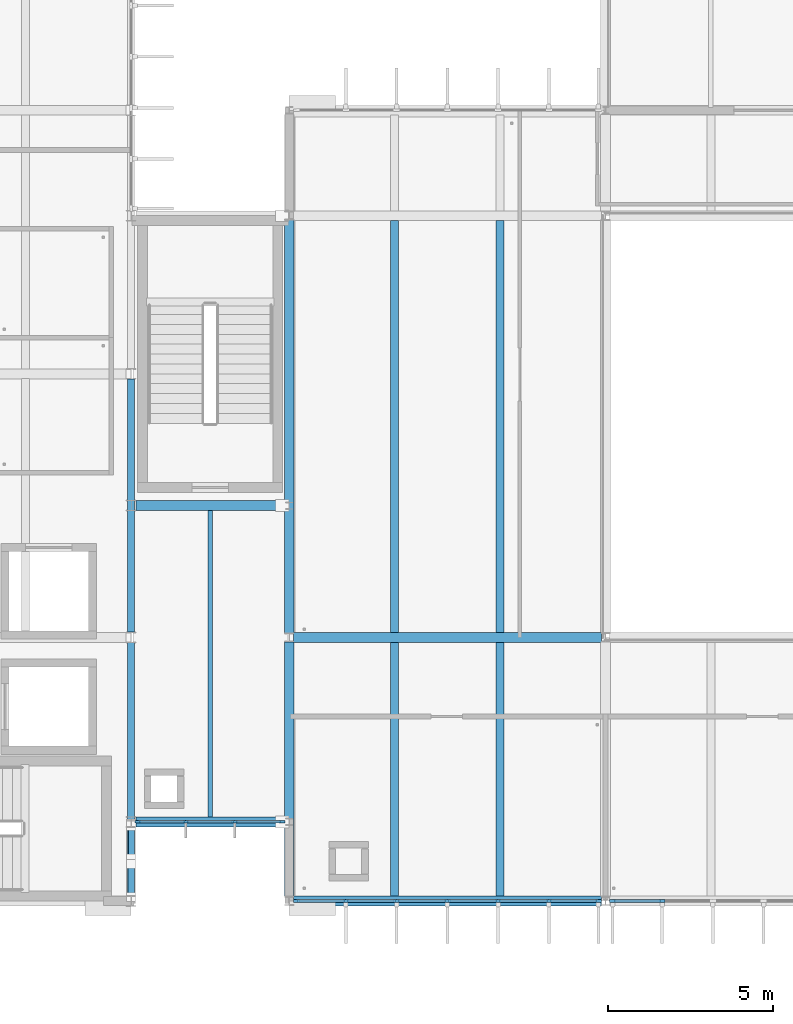
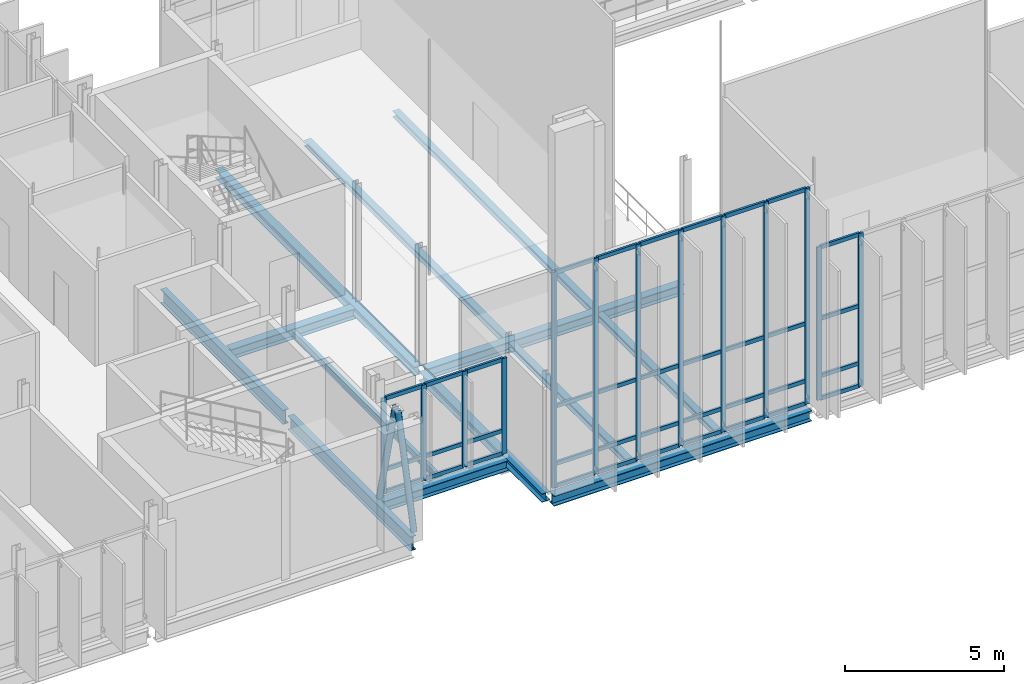
# One storey, part 10 of 41: 52 members, 13 beams, 3 elements without a shape of their own.
"""IFC4 building model written with IfcOpenShell, lengths in metres."""

from ifc_helpers import new_model, si_unit, direction, frame, origin, origin_2d, place, context, subcontext, project, spatial, rectangle, hollow_circle, i_section, extrude, material, material_profile, profile_set, type_object, element, aggregate, save


model = new_model("IFC4")

# Units and contexts
model_context = context("Model", 3, precision=1e-05, world=origin(), true_north=direction((0.0, 1.0)))
body_context = subcontext(model_context, "Body", "Model", "MODEL_VIEW")
ifc_project = project(units=[si_unit("LENGTHUNIT", "METRE"), si_unit("AREAUNIT", "SQUARE_METRE"), si_unit("VOLUMEUNIT", "CUBIC_METRE"), si_unit("PLANEANGLEUNIT", "RADIAN"), si_unit("MASSUNIT", "GRAM", prefix="KILO")], contexts=[model_context])

# Site, building, storey
site_placement = place(None, origin())
site = spatial("IfcSite", under=ifc_project, at=site_placement, CompositionType="ELEMENT")
building_placement = place(site_placement, origin())
building = spatial("IfcBuilding", under=site, at=building_placement, Name="Dunescarp Central Library", CompositionType="ELEMENT")
storey_placement = place(building_placement, frame((0.0, 0.0, 23.10009765625)))
storey = spatial("IfcBuildingStorey", under=building, at=storey_placement, Name="L05", CompositionType="ELEMENT", Elevation=23.10009765625)

# Curtain wall, members
ifc_material_1 = material(Name="Marine-grade anodised aluminium 6063-T6", Category="aluminium")
curtain_wall_type_1 = type_object("IfcCurtainWallType", Name="ARC-CW-STICK", PredefinedType="NOTDEFINED", material=ifc_material_1)
curtain_wall_1_placement = place(storey_placement, origin())
curtain_wall_1 = element("IfcCurtainWall", 1, at=curtain_wall_1_placement, inside=storey, type_object=curtain_wall_type_1, Name="L05 curtain wall CW-V2-074", PredefinedType="NOTDEFINED")
ifc_material_profile_1 = material_profile(ifc_material_1, rectangle(XDim=0.080078125, YDim=0.179931640625, at=origin_2d()), Name="AL 80x180")
ifc_profile_set_1 = profile_set([ifc_material_profile_1], Name="Marine-grade anodised aluminium 6063-T6")
member_type_1 = type_object("IfcMemberType", Name="ARC-CWM-180", PredefinedType="MULLION", material=ifc_profile_set_1)
member_1_placement = place(storey_placement, frame((47.784912109375, 4.800048828125, 0.0), z_axis=(0.0, 0.0, 1.0), x_axis=(0.0, -1.0, 0.0)))
member_1 = element("IfcMember", 2, at=member_1_placement, type_object=member_type_1, Name="CW-V2-074 mullion 1", PredefinedType="MULLION", context=body_context, shape_type="SweptSolid", body=[
    extrude(rectangle(XDim=0.080078125, YDim=0.179931640625, at=origin_2d()), origin(), (0.0, 0.0, 1.0), 8.27294921875),
])
member_2_placement = place(storey_placement, frame((46.283447265625, 4.800048828125, 0.0), z_axis=(0.0, 0.0, 1.0), x_axis=(0.0, -1.0, 0.0)))
member_2 = element("IfcMember", 3, at=member_2_placement, type_object=member_type_1, Name="CW-V2-074 mullion 2", PredefinedType="MULLION", context=body_context, shape_type="SweptSolid", body=[
    extrude(rectangle(XDim=0.080078125, YDim=0.179931640625, at=origin_2d()), origin(), (0.0, 0.0, 1.0), 8.27294921875),
])
member_3_placement = place(storey_placement, frame((44.74169921875, 4.800048828125, 0.0), z_axis=(0.0, 0.0, 1.0), x_axis=(0.0, -1.0, 0.0)))
member_3 = element("IfcMember", 4, at=member_3_placement, type_object=member_type_1, Name="CW-V2-074 mullion 3", PredefinedType="MULLION", context=body_context, shape_type="SweptSolid", body=[
    extrude(rectangle(XDim=0.080078125, YDim=0.179931640625, at=origin_2d()), origin(), (0.0, 0.0, 1.0), 8.27294921875),
])
member_4_placement = place(storey_placement, frame((43.199951171875, 4.800048828125, 0.0), z_axis=(0.0, 0.0, 1.0), x_axis=(0.0, -1.0, 0.0)))
member_4 = element("IfcMember", 5, at=member_4_placement, type_object=member_type_1, Name="CW-V2-074 mullion 4", PredefinedType="MULLION", context=body_context, shape_type="SweptSolid", body=[
    extrude(rectangle(XDim=0.080078125, YDim=0.179931640625, at=origin_2d()), origin(), (0.0, 0.0, 1.0), 8.27294921875),
])
member_5_placement = place(storey_placement, frame((41.658447265625, 4.800048828125, 0.0), z_axis=(0.0, 0.0, 1.0), x_axis=(0.0, -1.0, 0.0)))
member_5 = element("IfcMember", 6, at=member_5_placement, type_object=member_type_1, Name="CW-V2-074 mullion 5", PredefinedType="MULLION", context=body_context, shape_type="SweptSolid", body=[
    extrude(rectangle(XDim=0.080078125, YDim=0.179931640625, at=origin_2d()), origin(), (0.0, 0.0, 1.0), 8.27294921875),
])
member_6_placement = place(storey_placement, frame((40.11669921875, 4.800048828125, 0.0), z_axis=(0.0, 0.0, 1.0), x_axis=(0.0, -1.0, 0.0)))
member_6 = element("IfcMember", 7, at=member_6_placement, type_object=member_type_1, Name="CW-V2-074 mullion 6", PredefinedType="MULLION", context=body_context, shape_type="SweptSolid", body=[
    extrude(rectangle(XDim=0.080078125, YDim=0.179931640625, at=origin_2d()), origin(), (0.0, 0.0, 1.0), 8.27294921875),
])
member_7_placement = place(storey_placement, frame((38.614990234375, 4.800048828125, 0.0), z_axis=(0.0, 0.0, 1.0), x_axis=(0.0, -1.0, 0.0)))
member_7 = element("IfcMember", 8, at=member_7_placement, type_object=member_type_1, Name="CW-V2-074 mullion 7", PredefinedType="MULLION", context=body_context, shape_type="SweptSolid", body=[
    extrude(rectangle(XDim=0.080078125, YDim=0.179931640625, at=origin_2d()), origin(), (0.0, 0.0, 1.0), 8.27294921875),
])

curtain_wall_2_placement = place(storey_placement, origin())
curtain_wall_2 = element("IfcCurtainWall", 9, at=curtain_wall_2_placement, inside=storey, type_object=curtain_wall_type_1, Name="L05 curtain wall CW-V2-075", PredefinedType="NOTDEFINED")
member_8_placement = place(storey_placement, frame((49.716552734375, 4.800048828125, 0.0), z_axis=(0.0, 0.0, 1.0), x_axis=(0.0, -1.0, 0.0)))
member_8 = element("IfcMember", 10, at=member_8_placement, type_object=member_type_1, Name="CW-V2-075 mullion 6", PredefinedType="MULLION", context=body_context, shape_type="SweptSolid", body=[
    extrude(rectangle(XDim=0.080078125, YDim=0.179931640625, at=origin_2d()), origin(), (0.0, 0.0, 1.0), 5.872802734375),
])
member_9_placement = place(storey_placement, frame((48.215087890625, 4.800048828125, 0.0), z_axis=(0.0, 0.0, 1.0), x_axis=(0.0, -1.0, 0.0)))
member_9 = element("IfcMember", 11, at=member_9_placement, type_object=member_type_1, Name="CW-V2-075 mullion 7", PredefinedType="MULLION", context=body_context, shape_type="SweptSolid", body=[
    extrude(rectangle(XDim=0.080078125, YDim=0.179931640625, at=origin_2d()), origin(), (0.0, 0.0, 1.0), 5.872802734375),
])

curtain_wall_type_2 = type_object("IfcCurtainWallType", Name="ARC-CW-LINK", PredefinedType="USERDEFINED", material=ifc_material_1)
curtain_wall_3_placement = place(storey_placement, origin())
curtain_wall_3 = element("IfcCurtainWall", 12, at=curtain_wall_3_placement, inside=storey, type_object=curtain_wall_type_2, Name="L05 curtain wall CW-GL1-S-L05", ObjectType="GLAZED_LINK_WALL", PredefinedType="USERDEFINED")
member_10_placement = place(storey_placement, frame((38.18505859375, 7.199951171875, 0.0), z_axis=(0.0, 0.0, 1.0), x_axis=(0.0, -1.0, 0.0)))
member_10 = element("IfcMember", 13, at=member_10_placement, type_object=member_type_1, Name="CW-GL1-S-L05 mullion 1", PredefinedType="MULLION", context=body_context, shape_type="SweptSolid", body=[
    extrude(rectangle(XDim=0.080078125, YDim=0.179931640625, at=origin_2d()), origin(), (0.0, 0.0, 1.0), 3.661865234375),
])
member_11_placement = place(storey_placement, frame((36.74169921875, 7.199951171875, 0.0), z_axis=(0.0, 0.0, 1.0), x_axis=(0.0, -1.0, 0.0)))
member_11 = element("IfcMember", 14, at=member_11_placement, type_object=member_type_1, Name="CW-GL1-S-L05 mullion 2", PredefinedType="MULLION", context=body_context, shape_type="SweptSolid", body=[
    extrude(rectangle(XDim=0.080078125, YDim=0.179931640625, at=origin_2d()), origin(), (0.0, 0.0, 1.0), 3.661865234375),
])
member_12_placement = place(storey_placement, frame((35.25830078125, 7.199951171875, 0.0), z_axis=(0.0, 0.0, 1.0), x_axis=(0.0, -1.0, 0.0)))
member_12 = element("IfcMember", 15, at=member_12_placement, type_object=member_type_1, Name="CW-GL1-S-L05 mullion 3", PredefinedType="MULLION", context=body_context, shape_type="SweptSolid", body=[
    extrude(rectangle(XDim=0.080078125, YDim=0.179931640625, at=origin_2d()), origin(), (0.0, 0.0, 1.0), 3.661865234375),
])
member_13_placement = place(storey_placement, frame((33.81494140625, 7.199951171875, 0.0), z_axis=(0.0, 0.0, 1.0), x_axis=(0.0, -1.0, 0.0)))
member_13 = element("IfcMember", 16, at=member_13_placement, type_object=member_type_1, Name="CW-GL1-S-L05 mullion 4", PredefinedType="MULLION", context=body_context, shape_type="SweptSolid", body=[
    extrude(rectangle(XDim=0.080078125, YDim=0.179931640625, at=origin_2d()), origin(), (0.0, 0.0, 1.0), 3.661865234375),
])

# Member
ifc_material_profile_2 = material_profile(ifc_material_1, rectangle(XDim=0.080078125, YDim=0.14990234375, at=origin_2d()), Name="AL 80x150")
ifc_profile_set_2 = profile_set([ifc_material_profile_2], Name="Marine-grade anodised aluminium 6063-T6")
member_type_2 = type_object("IfcMemberType", Name="ARC-CWT-150", PredefinedType="USERDEFINED", material=ifc_profile_set_2)
member_14_placement = place(storey_placement, frame((47.7451171875, 4.800048828125, 0.039794921875), z_axis=(-1.0, 0.0, 0.0), x_axis=(0.0, -1.0, 0.0)))
member_14 = element("IfcMember", 17, at=member_14_placement, type_object=member_type_2, Name="CW-V2-074 transom 1.1", ObjectType="TRANSOM", PredefinedType="USERDEFINED", context=body_context, shape_type="SweptSolid", body=[
    extrude(rectangle(XDim=0.080078125, YDim=0.14990234375, at=origin_2d()), origin(), (0.0, 0.0, 1.0), 1.421875),
])

member_15_placement = place(storey_placement, frame((47.7451171875, 4.800048828125, 0.89990234375), z_axis=(-1.0, 0.0, 0.0), x_axis=(0.0, -1.0, 0.0)))
member_15 = element("IfcMember", 18, at=member_15_placement, type_object=member_type_2, Name="CW-V2-074 transom 1.2", ObjectType="TRANSOM", PredefinedType="USERDEFINED", context=body_context, shape_type="SweptSolid", body=[
    extrude(rectangle(XDim=0.080078125, YDim=0.14990234375, at=origin_2d()), origin(), (0.0, 0.0, 1.0), 1.421875),
])

member_16_placement = place(storey_placement, frame((47.7451171875, 4.800048828125, 3.099853515625), z_axis=(-1.0, 0.0, 0.0), x_axis=(0.0, -1.0, 0.0)))
member_16 = element("IfcMember", 19, at=member_16_placement, type_object=member_type_2, Name="CW-V2-074 transom 1.3", ObjectType="TRANSOM", PredefinedType="USERDEFINED", context=body_context, shape_type="SweptSolid", body=[
    extrude(rectangle(XDim=0.080078125, YDim=0.14990234375, at=origin_2d()), origin(), (0.0, 0.0, 1.0), 1.421875),
])

member_17_placement = place(storey_placement, frame((47.7451171875, 4.800048828125, 8.23291015625), z_axis=(-1.0, 0.0, 0.0), x_axis=(0.0, -1.0, 0.0)))
member_17 = element("IfcMember", 20, at=member_17_placement, type_object=member_type_2, Name="CW-V2-074 transom 1.4", ObjectType="TRANSOM", PredefinedType="USERDEFINED", context=body_context, shape_type="SweptSolid", body=[
    extrude(rectangle(XDim=0.080078125, YDim=0.14990234375, at=origin_2d()), origin(), (0.0, 0.0, 1.0), 1.421875),
])

member_18_placement = place(storey_placement, frame((46.243408203125, 4.800048828125, 0.039794921875), z_axis=(-1.0, 0.0, 0.0), x_axis=(0.0, -1.0, 0.0)))
member_18 = element("IfcMember", 21, at=member_18_placement, type_object=member_type_2, Name="CW-V2-074 transom 2.1", ObjectType="TRANSOM", PredefinedType="USERDEFINED", context=body_context, shape_type="SweptSolid", body=[
    extrude(rectangle(XDim=0.080078125, YDim=0.14990234375, at=origin_2d()), origin(), (0.0, 0.0, 1.0), 1.461669921875),
])

member_19_placement = place(storey_placement, frame((46.243408203125, 4.800048828125, 0.89990234375), z_axis=(-1.0, 0.0, 0.0), x_axis=(0.0, -1.0, 0.0)))
member_19 = element("IfcMember", 22, at=member_19_placement, type_object=member_type_2, Name="CW-V2-074 transom 2.2", ObjectType="TRANSOM", PredefinedType="USERDEFINED", context=body_context, shape_type="SweptSolid", body=[
    extrude(rectangle(XDim=0.080078125, YDim=0.14990234375, at=origin_2d()), origin(), (0.0, 0.0, 1.0), 1.461669921875),
])

member_20_placement = place(storey_placement, frame((46.243408203125, 4.800048828125, 3.099853515625), z_axis=(-1.0, 0.0, 0.0), x_axis=(0.0, -1.0, 0.0)))
member_20 = element("IfcMember", 23, at=member_20_placement, type_object=member_type_2, Name="CW-V2-074 transom 2.3", ObjectType="TRANSOM", PredefinedType="USERDEFINED", context=body_context, shape_type="SweptSolid", body=[
    extrude(rectangle(XDim=0.080078125, YDim=0.14990234375, at=origin_2d()), origin(), (0.0, 0.0, 1.0), 1.461669921875),
])

member_21_placement = place(storey_placement, frame((46.243408203125, 4.800048828125, 8.23291015625), z_axis=(-1.0, 0.0, 0.0), x_axis=(0.0, -1.0, 0.0)))
member_21 = element("IfcMember", 24, at=member_21_placement, type_object=member_type_2, Name="CW-V2-074 transom 2.4", ObjectType="TRANSOM", PredefinedType="USERDEFINED", context=body_context, shape_type="SweptSolid", body=[
    extrude(rectangle(XDim=0.080078125, YDim=0.14990234375, at=origin_2d()), origin(), (0.0, 0.0, 1.0), 1.461669921875),
])

member_22_placement = place(storey_placement, frame((44.70166015625, 4.800048828125, 0.039794921875), z_axis=(-1.0, 0.0, 0.0), x_axis=(0.0, -1.0, 0.0)))
member_22 = element("IfcMember", 25, at=member_22_placement, type_object=member_type_2, Name="CW-V2-074 transom 3.1", ObjectType="TRANSOM", PredefinedType="USERDEFINED", context=body_context, shape_type="SweptSolid", body=[
    extrude(rectangle(XDim=0.080078125, YDim=0.14990234375, at=origin_2d()), origin(), (0.0, 0.0, 1.0), 1.461669921875),
])

member_23_placement = place(storey_placement, frame((44.70166015625, 4.800048828125, 0.89990234375), z_axis=(-1.0, 0.0, 0.0), x_axis=(0.0, -1.0, 0.0)))
member_23 = element("IfcMember", 26, at=member_23_placement, type_object=member_type_2, Name="CW-V2-074 transom 3.2", ObjectType="TRANSOM", PredefinedType="USERDEFINED", context=body_context, shape_type="SweptSolid", body=[
    extrude(rectangle(XDim=0.080078125, YDim=0.14990234375, at=origin_2d()), origin(), (0.0, 0.0, 1.0), 1.461669921875),
])

member_24_placement = place(storey_placement, frame((44.70166015625, 4.800048828125, 3.099853515625), z_axis=(-1.0, 0.0, 0.0), x_axis=(0.0, -1.0, 0.0)))
member_24 = element("IfcMember", 27, at=member_24_placement, type_object=member_type_2, Name="CW-V2-074 transom 3.3", ObjectType="TRANSOM", PredefinedType="USERDEFINED", context=body_context, shape_type="SweptSolid", body=[
    extrude(rectangle(XDim=0.080078125, YDim=0.14990234375, at=origin_2d()), origin(), (0.0, 0.0, 1.0), 1.461669921875),
])

member_25_placement = place(storey_placement, frame((44.70166015625, 4.800048828125, 8.23291015625), z_axis=(-1.0, 0.0, 0.0), x_axis=(0.0, -1.0, 0.0)))
member_25 = element("IfcMember", 28, at=member_25_placement, type_object=member_type_2, Name="CW-V2-074 transom 3.4", ObjectType="TRANSOM", PredefinedType="USERDEFINED", context=body_context, shape_type="SweptSolid", body=[
    extrude(rectangle(XDim=0.080078125, YDim=0.14990234375, at=origin_2d()), origin(), (0.0, 0.0, 1.0), 1.461669921875),
])

member_26_placement = place(storey_placement, frame((43.159912109375, 4.800048828125, 0.039794921875), z_axis=(-1.0, 0.0, 0.0), x_axis=(0.0, -1.0, 0.0)))
member_26 = element("IfcMember", 29, at=member_26_placement, type_object=member_type_2, Name="CW-V2-074 transom 4.1", ObjectType="TRANSOM", PredefinedType="USERDEFINED", context=body_context, shape_type="SweptSolid", body=[
    extrude(rectangle(XDim=0.080078125, YDim=0.14990234375, at=origin_2d()), origin(), (0.0, 0.0, 1.0), 1.461669921875),
])

member_27_placement = place(storey_placement, frame((43.159912109375, 4.800048828125, 0.89990234375), z_axis=(-1.0, 0.0, 0.0), x_axis=(0.0, -1.0, 0.0)))
member_27 = element("IfcMember", 30, at=member_27_placement, type_object=member_type_2, Name="CW-V2-074 transom 4.2", ObjectType="TRANSOM", PredefinedType="USERDEFINED", context=body_context, shape_type="SweptSolid", body=[
    extrude(rectangle(XDim=0.080078125, YDim=0.14990234375, at=origin_2d()), origin(), (0.0, 0.0, 1.0), 1.461669921875),
])

member_28_placement = place(storey_placement, frame((43.159912109375, 4.800048828125, 3.099853515625), z_axis=(-1.0, 0.0, 0.0), x_axis=(0.0, -1.0, 0.0)))
member_28 = element("IfcMember", 31, at=member_28_placement, type_object=member_type_2, Name="CW-V2-074 transom 4.3", ObjectType="TRANSOM", PredefinedType="USERDEFINED", context=body_context, shape_type="SweptSolid", body=[
    extrude(rectangle(XDim=0.080078125, YDim=0.14990234375, at=origin_2d()), origin(), (0.0, 0.0, 1.0), 1.461669921875),
])

member_29_placement = place(storey_placement, frame((43.159912109375, 4.800048828125, 8.23291015625), z_axis=(-1.0, 0.0, 0.0), x_axis=(0.0, -1.0, 0.0)))
member_29 = element("IfcMember", 32, at=member_29_placement, type_object=member_type_2, Name="CW-V2-074 transom 4.4", ObjectType="TRANSOM", PredefinedType="USERDEFINED", context=body_context, shape_type="SweptSolid", body=[
    extrude(rectangle(XDim=0.080078125, YDim=0.14990234375, at=origin_2d()), origin(), (0.0, 0.0, 1.0), 1.461669921875),
])

member_30_placement = place(storey_placement, frame((41.618408203125, 4.800048828125, 0.039794921875), z_axis=(-1.0, 0.0, 0.0), x_axis=(0.0, -1.0, 0.0)))
member_30 = element("IfcMember", 33, at=member_30_placement, type_object=member_type_2, Name="CW-V2-074 transom 5.1", ObjectType="TRANSOM", PredefinedType="USERDEFINED", context=body_context, shape_type="SweptSolid", body=[
    extrude(rectangle(XDim=0.080078125, YDim=0.14990234375, at=origin_2d()), origin(), (0.0, 0.0, 1.0), 1.461669921875),
])

member_31_placement = place(storey_placement, frame((41.618408203125, 4.800048828125, 0.89990234375), z_axis=(-1.0, 0.0, 0.0), x_axis=(0.0, -1.0, 0.0)))
member_31 = element("IfcMember", 34, at=member_31_placement, type_object=member_type_2, Name="CW-V2-074 transom 5.2", ObjectType="TRANSOM", PredefinedType="USERDEFINED", context=body_context, shape_type="SweptSolid", body=[
    extrude(rectangle(XDim=0.080078125, YDim=0.14990234375, at=origin_2d()), origin(), (0.0, 0.0, 1.0), 1.461669921875),
])

member_32_placement = place(storey_placement, frame((41.618408203125, 4.800048828125, 3.099853515625), z_axis=(-1.0, 0.0, 0.0), x_axis=(0.0, -1.0, 0.0)))
member_32 = element("IfcMember", 35, at=member_32_placement, type_object=member_type_2, Name="CW-V2-074 transom 5.3", ObjectType="TRANSOM", PredefinedType="USERDEFINED", context=body_context, shape_type="SweptSolid", body=[
    extrude(rectangle(XDim=0.080078125, YDim=0.14990234375, at=origin_2d()), origin(), (0.0, 0.0, 1.0), 1.461669921875),
])

member_33_placement = place(storey_placement, frame((41.618408203125, 4.800048828125, 8.23291015625), z_axis=(-1.0, 0.0, 0.0), x_axis=(0.0, -1.0, 0.0)))
member_33 = element("IfcMember", 36, at=member_33_placement, type_object=member_type_2, Name="CW-V2-074 transom 5.4", ObjectType="TRANSOM", PredefinedType="USERDEFINED", context=body_context, shape_type="SweptSolid", body=[
    extrude(rectangle(XDim=0.080078125, YDim=0.14990234375, at=origin_2d()), origin(), (0.0, 0.0, 1.0), 1.461669921875),
])

member_34_placement = place(storey_placement, frame((40.07666015625, 4.800048828125, 0.039794921875), z_axis=(-1.0, 0.0, 0.0), x_axis=(0.0, -1.0, 0.0)))
member_34 = element("IfcMember", 37, at=member_34_placement, type_object=member_type_2, Name="CW-V2-074 transom 6.1", ObjectType="TRANSOM", PredefinedType="USERDEFINED", context=body_context, shape_type="SweptSolid", body=[
    extrude(rectangle(XDim=0.080078125, YDim=0.14990234375, at=origin_2d()), origin(), (0.0, 0.0, 1.0), 1.421630859375),
])

member_35_placement = place(storey_placement, frame((40.07666015625, 4.800048828125, 0.89990234375), z_axis=(-1.0, 0.0, 0.0), x_axis=(0.0, -1.0, 0.0)))
member_35 = element("IfcMember", 38, at=member_35_placement, type_object=member_type_2, Name="CW-V2-074 transom 6.2", ObjectType="TRANSOM", PredefinedType="USERDEFINED", context=body_context, shape_type="SweptSolid", body=[
    extrude(rectangle(XDim=0.080078125, YDim=0.14990234375, at=origin_2d()), origin(), (0.0, 0.0, 1.0), 1.421630859375),
])

member_36_placement = place(storey_placement, frame((40.07666015625, 4.800048828125, 3.099853515625), z_axis=(-1.0, 0.0, 0.0), x_axis=(0.0, -1.0, 0.0)))
member_36 = element("IfcMember", 39, at=member_36_placement, type_object=member_type_2, Name="CW-V2-074 transom 6.3", ObjectType="TRANSOM", PredefinedType="USERDEFINED", context=body_context, shape_type="SweptSolid", body=[
    extrude(rectangle(XDim=0.080078125, YDim=0.14990234375, at=origin_2d()), origin(), (0.0, 0.0, 1.0), 1.421630859375),
])

member_37_placement = place(storey_placement, frame((40.07666015625, 4.800048828125, 8.23291015625), z_axis=(-1.0, 0.0, 0.0), x_axis=(0.0, -1.0, 0.0)))
member_37 = element("IfcMember", 40, at=member_37_placement, type_object=member_type_2, Name="CW-V2-074 transom 6.4", ObjectType="TRANSOM", PredefinedType="USERDEFINED", context=body_context, shape_type="SweptSolid", body=[
    extrude(rectangle(XDim=0.080078125, YDim=0.14990234375, at=origin_2d()), origin(), (0.0, 0.0, 1.0), 1.421630859375),
])

aggregate(curtain_wall_1, [member_1, member_2, member_3, member_4, member_5, member_6, member_7, member_14, member_15, member_16, member_17, member_18, member_19, member_20, member_21, member_22, member_23, member_24, member_25, member_26, member_27, member_28, member_29, member_30, member_31, member_32, member_33, member_34, member_35, member_36, member_37])

member_38_placement = place(storey_placement, frame((49.6767578125, 4.800048828125, 0.039794921875), z_axis=(-1.0, 0.0, 0.0), x_axis=(0.0, -1.0, 0.0)))
member_38 = element("IfcMember", 41, at=member_38_placement, type_object=member_type_2, Name="CW-V2-075 transom 6.1", ObjectType="TRANSOM", PredefinedType="USERDEFINED", context=body_context, shape_type="SweptSolid", body=[
    extrude(rectangle(XDim=0.080078125, YDim=0.14990234375, at=origin_2d()), origin(), (0.0, 0.0, 1.0), 1.421875),
])

member_39_placement = place(storey_placement, frame((49.6767578125, 4.800048828125, 0.89990234375), z_axis=(-1.0, 0.0, 0.0), x_axis=(0.0, -1.0, 0.0)))
member_39 = element("IfcMember", 42, at=member_39_placement, type_object=member_type_2, Name="CW-V2-075 transom 6.2", ObjectType="TRANSOM", PredefinedType="USERDEFINED", context=body_context, shape_type="SweptSolid", body=[
    extrude(rectangle(XDim=0.080078125, YDim=0.14990234375, at=origin_2d()), origin(), (0.0, 0.0, 1.0), 1.421875),
])

member_40_placement = place(storey_placement, frame((49.6767578125, 4.800048828125, 3.099853515625), z_axis=(-1.0, 0.0, 0.0), x_axis=(0.0, -1.0, 0.0)))
member_40 = element("IfcMember", 43, at=member_40_placement, type_object=member_type_2, Name="CW-V2-075 transom 6.3", ObjectType="TRANSOM", PredefinedType="USERDEFINED", context=body_context, shape_type="SweptSolid", body=[
    extrude(rectangle(XDim=0.080078125, YDim=0.14990234375, at=origin_2d()), origin(), (0.0, 0.0, 1.0), 1.421875),
])

member_41_placement = place(storey_placement, frame((49.6767578125, 4.800048828125, 5.8330078125), z_axis=(-1.0, 0.0, 0.0), x_axis=(0.0, -1.0, 0.0)))
member_41 = element("IfcMember", 44, at=member_41_placement, type_object=member_type_2, Name="CW-V2-075 transom 6.4", ObjectType="TRANSOM", PredefinedType="USERDEFINED", context=body_context, shape_type="SweptSolid", body=[
    extrude(rectangle(XDim=0.080078125, YDim=0.14990234375, at=origin_2d()), origin(), (0.0, 0.0, 1.0), 1.421875),
])

aggregate(curtain_wall_2, [member_8, member_9, member_38, member_39, member_40, member_41])

member_42_placement = place(storey_placement, frame((38.14501953125, 7.199951171875, 0.039794921875), z_axis=(-1.0, 0.0, 0.0), x_axis=(0.0, -1.0, 0.0)))
member_42 = element("IfcMember", 45, at=member_42_placement, type_object=member_type_2, Name="CW-GL1-S-L05 transom 1.1", ObjectType="TRANSOM", PredefinedType="USERDEFINED", context=body_context, shape_type="SweptSolid", body=[
    extrude(rectangle(XDim=0.080078125, YDim=0.14990234375, at=origin_2d()), origin(), (0.0, 0.0, 1.0), 1.36328125),
])

member_43_placement = place(storey_placement, frame((38.14501953125, 7.199951171875, 0.89990234375), z_axis=(-1.0, 0.0, 0.0), x_axis=(0.0, -1.0, 0.0)))
member_43 = element("IfcMember", 46, at=member_43_placement, type_object=member_type_2, Name="CW-GL1-S-L05 transom 1.2", ObjectType="TRANSOM", PredefinedType="USERDEFINED", context=body_context, shape_type="SweptSolid", body=[
    extrude(rectangle(XDim=0.080078125, YDim=0.14990234375, at=origin_2d()), origin(), (0.0, 0.0, 1.0), 1.36328125),
])

member_44_placement = place(storey_placement, frame((38.14501953125, 7.199951171875, 3.621826171875), z_axis=(-1.0, 0.0, 0.0), x_axis=(0.0, -1.0, 0.0)))
member_44 = element("IfcMember", 47, at=member_44_placement, type_object=member_type_2, Name="CW-GL1-S-L05 transom 1.3", ObjectType="TRANSOM", PredefinedType="USERDEFINED", context=body_context, shape_type="SweptSolid", body=[
    extrude(rectangle(XDim=0.080078125, YDim=0.14990234375, at=origin_2d()), origin(), (0.0, 0.0, 1.0), 1.36328125),
])

member_45_placement = place(storey_placement, frame((36.70166015625, 7.199951171875, 0.039794921875), z_axis=(-1.0, 0.0, 0.0), x_axis=(0.0, -1.0, 0.0)))
member_45 = element("IfcMember", 48, at=member_45_placement, type_object=member_type_2, Name="CW-GL1-S-L05 transom 2.1", ObjectType="TRANSOM", PredefinedType="USERDEFINED", context=body_context, shape_type="SweptSolid", body=[
    extrude(rectangle(XDim=0.080078125, YDim=0.14990234375, at=origin_2d()), origin(), (0.0, 0.0, 1.0), 1.4033203125),
])

member_46_placement = place(storey_placement, frame((36.70166015625, 7.199951171875, 0.89990234375), z_axis=(-1.0, 0.0, 0.0), x_axis=(0.0, -1.0, 0.0)))
member_46 = element("IfcMember", 49, at=member_46_placement, type_object=member_type_2, Name="CW-GL1-S-L05 transom 2.2", ObjectType="TRANSOM", PredefinedType="USERDEFINED", context=body_context, shape_type="SweptSolid", body=[
    extrude(rectangle(XDim=0.080078125, YDim=0.14990234375, at=origin_2d()), origin(), (0.0, 0.0, 1.0), 1.4033203125),
])

member_47_placement = place(storey_placement, frame((36.70166015625, 7.199951171875, 3.621826171875), z_axis=(-1.0, 0.0, 0.0), x_axis=(0.0, -1.0, 0.0)))
member_47 = element("IfcMember", 50, at=member_47_placement, type_object=member_type_2, Name="CW-GL1-S-L05 transom 2.3", ObjectType="TRANSOM", PredefinedType="USERDEFINED", context=body_context, shape_type="SweptSolid", body=[
    extrude(rectangle(XDim=0.080078125, YDim=0.14990234375, at=origin_2d()), origin(), (0.0, 0.0, 1.0), 1.4033203125),
])

member_48_placement = place(storey_placement, frame((35.21826171875, 7.199951171875, 0.039794921875), z_axis=(-1.0, 0.0, 0.0), x_axis=(0.0, -1.0, 0.0)))
member_48 = element("IfcMember", 51, at=member_48_placement, type_object=member_type_2, Name="CW-GL1-S-L05 transom 3.1", ObjectType="TRANSOM", PredefinedType="USERDEFINED", context=body_context, shape_type="SweptSolid", body=[
    extrude(rectangle(XDim=0.080078125, YDim=0.14990234375, at=origin_2d()), origin(), (0.0, 0.0, 1.0), 1.36328125),
])

member_49_placement = place(storey_placement, frame((35.21826171875, 7.199951171875, 0.89990234375), z_axis=(-1.0, 0.0, 0.0), x_axis=(0.0, -1.0, 0.0)))
member_49 = element("IfcMember", 52, at=member_49_placement, type_object=member_type_2, Name="CW-GL1-S-L05 transom 3.2", ObjectType="TRANSOM", PredefinedType="USERDEFINED", context=body_context, shape_type="SweptSolid", body=[
    extrude(rectangle(XDim=0.080078125, YDim=0.14990234375, at=origin_2d()), origin(), (0.0, 0.0, 1.0), 1.36328125),
])

member_50_placement = place(storey_placement, frame((35.21826171875, 7.199951171875, 3.621826171875), z_axis=(-1.0, 0.0, 0.0), x_axis=(0.0, -1.0, 0.0)))
member_50 = element("IfcMember", 53, at=member_50_placement, type_object=member_type_2, Name="CW-GL1-S-L05 transom 3.3", ObjectType="TRANSOM", PredefinedType="USERDEFINED", context=body_context, shape_type="SweptSolid", body=[
    extrude(rectangle(XDim=0.080078125, YDim=0.14990234375, at=origin_2d()), origin(), (0.0, 0.0, 1.0), 1.36328125),
])

aggregate(curtain_wall_3, [member_10, member_11, member_12, member_13, member_42, member_43, member_44, member_45, member_46, member_47, member_48, member_49, member_50])

# Beams
ifc_material_2 = material(Name="Steel S355JR", Category="steel")
ifc_material_profile_3 = material_profile(ifc_material_2, i_section(OverallWidth=0.300048828125, OverallDepth=0.330078125, WebThickness=0.009521484375, FlangeThickness=0.0166015625, at=origin_2d()), Name="HEA 340")
ifc_profile_set_3 = profile_set([ifc_material_profile_3], Name="Steel S355JR")
beam_type_1 = type_object("IfcBeamType", Name="STR-BM-HEA340", PredefinedType="BEAM", material=ifc_profile_set_3)
beam_1_placement = place(storey_placement, frame((38.39990234375, 4.93505859375, -0.385009765625), z_axis=(0.0, 1.0, 0.0), x_axis=(-1.0, 0.0, 0.0)))
element("IfcBeam", 54, at=beam_1_placement, inside=storey, type_object=beam_type_1, Name="L05 girder BM-L05-0607", PredefinedType="BEAM", context=body_context, shape_type="SweptSolid", body=[
    extrude(i_section(OverallWidth=0.300048828125, OverallDepth=0.330078125, WebThickness=0.009521484375, FlangeThickness=0.0166015625, at=origin_2d()), origin(), (0.0, 0.0, 1.0), 7.72998046875),
])
beam_2_placement = place(storey_placement, frame((38.39990234375, 12.93505859375, -0.385009765625), z_axis=(0.0, 1.0, 0.0), x_axis=(-1.0, 0.0, 0.0)))
element("IfcBeam", 55, at=beam_2_placement, inside=storey, type_object=beam_type_1, Name="L05 girder BM-L05-0612", PredefinedType="BEAM", context=body_context, shape_type="SweptSolid", body=[
    extrude(i_section(OverallWidth=0.300048828125, OverallDepth=0.330078125, WebThickness=0.009521484375, FlangeThickness=0.0166015625, at=origin_2d()), origin(), (0.0, 0.0, 1.0), 12.530029296875),
])
ifc_material_profile_4 = material_profile(ifc_material_2, i_section(OverallWidth=0.300048828125, OverallDepth=0.389892578125, WebThickness=0.010986328125, FlangeThickness=0.01904296875, at=origin_2d()), Name="HEA 400")
ifc_profile_set_4 = profile_set([ifc_material_profile_4], Name="Steel S355JR")
beam_type_2 = type_object("IfcBeamType", Name="STR-BM-HEA400", PredefinedType="BEAM", material=ifc_profile_set_4)
for number, where, z_axis, x_axis, name in (
    (56, (33.7529296875, 7.199951171875, -0.4150390625), (1.0, 0.0, 0.0), (0.0, 1.0, 0.0), "L05 girder BM-L05-1231"),
    (57, (33.7529296875, 16.800048828125, -0.4150390625), (1.0, 0.0, 0.0), (0.0, 1.0, 0.0), "L05 girder BM-L05-1232"),
):
    element("IfcBeam", number, at=place(storey_placement, frame(where, z_axis=z_axis, x_axis=x_axis)), inside=storey, type_object=beam_type_2, Name=name, PredefinedType="BEAM", context=body_context, shape_type="SweptSolid", body=[
        extrude(i_section(OverallWidth=0.300048828125, OverallDepth=0.389892578125, WebThickness=0.010986328125, FlangeThickness=0.01904296875, at=origin_2d()), origin(), (0.0, 0.0, 1.0), 4.52197265625),
    ])
ifc_material_profile_5 = material_profile(ifc_material_2, i_section(OverallWidth=0.300048828125, OverallDepth=0.39990234375, WebThickness=0.013427734375, FlangeThickness=0.02392578125, at=origin_2d()), Name="HEB 400")
ifc_profile_set_5 = profile_set([ifc_material_profile_5], Name="Steel S355JR")
beam_type_3 = type_object("IfcBeamType", Name="STR-BM-HEB400", PredefinedType="BEAM", material=ifc_profile_set_5)
for number, where, z_axis, x_axis, name in (
    (58, (38.528076171875, 4.800048828125, -0.420166015625), (1.0, 0.0, 0.0), (0.0, 1.0, 0.0), "L05 girder BM-L05-0605"),
    (59, (38.528076171875, 12.800048828125, -0.420166015625), (1.0, 0.0, 0.0), (0.0, 1.0, 0.0), "L05 girder BM-L05-0606"),
):
    element("IfcBeam", number, at=place(storey_placement, frame(where, z_axis=z_axis, x_axis=x_axis)), inside=storey, type_object=beam_type_3, Name=name, PredefinedType="BEAM", context=body_context, shape_type="SweptSolid", body=[
        extrude(i_section(OverallWidth=0.300048828125, OverallDepth=0.39990234375, WebThickness=0.013427734375, FlangeThickness=0.02392578125, at=origin_2d()), origin(), (0.0, 0.0, 1.0), 9.343994140625),
    ])
ifc_material_profile_6 = material_profile(ifc_material_2, i_section(OverallWidth=0.2119140625, OverallDepth=0.54443359375, WebThickness=0.0126953125, FlangeThickness=0.021240234375, at=origin_2d()), Name="UB 533x210x122")
ifc_profile_set_6 = profile_set([ifc_material_profile_6], Name="Steel S355JR")
beam_type_4 = type_object("IfcBeamType", Name="STR-BM-UB533X122", PredefinedType="BEAM", material=ifc_profile_set_6)
for number, where, z_axis, x_axis, name in (
    (60, (33.60009765625, 4.9609375, -0.4921875), (0.0, 1.0, 0.0), (-1.0, 0.0, 0.0), "L05 girder BM-L05-0263"),
    (61, (33.60009765625, 12.9609375, -0.4921875), (0.0, 1.0, 0.0), (-1.0, 0.0, 0.0), "L05 girder BM-L05-0265"),
):
    element("IfcBeam", number, at=place(storey_placement, frame(where, z_axis=z_axis, x_axis=x_axis)), inside=storey, type_object=beam_type_4, Name=name, PredefinedType="BEAM", context=body_context, shape_type="SweptSolid", body=[
        extrude(i_section(OverallWidth=0.2119140625, OverallDepth=0.54443359375, WebThickness=0.0126953125, FlangeThickness=0.021240234375, at=origin_2d()), origin(), (0.0, 0.0, 1.0), 7.677978515625),
    ])

# Members
ifc_material_3 = material(Name="Steel S355J0", Category="steel")
ifc_material_profile_7 = material_profile(ifc_material_3, hollow_circle(Radius=0.109619140625, WallThickness=0.010009765625, at=origin_2d()), Name="CHS 219.1x10")
ifc_profile_set_7 = profile_set([ifc_material_profile_7], Name="Steel S355J0")
member_type_3 = type_object("IfcMemberType", Name="STR-BR-219", PredefinedType="BRACE", material=ifc_profile_set_7)
for number, where, z_axis, x_axis, name in (
    (62, (33.60009765625, 4.919921875, 0.0), (0.0, 0.23972532699, 0.970840752956), (-1.0, 0.0, 0.0), "L05 concentric brace BR-L05-011"),
    (63, (33.60009765625, 7.080078125, 0.0), (0.0, -0.23972532699, 0.970840752956), (1.0, 0.0, 0.0), "L05 concentric brace BR-L05-012"),
):
    element("IfcMember", number, at=place(storey_placement, frame(where, z_axis=z_axis, x_axis=x_axis)), inside=storey, type_object=member_type_3, Name=name, PredefinedType="BRACE", context=body_context, shape_type="SweptSolid", body=[
        extrude(hollow_circle(Radius=0.109619140625, WallThickness=0.010009765625, at=origin_2d()), origin(), (0.0, 0.0, 1.0), 4.17138671875),
    ])

# Beams
ifc_material_profile_8 = material_profile(ifc_material_2, i_section(OverallWidth=0.239990234375, OverallDepth=0.22998046875, WebThickness=0.007568359375, FlangeThickness=0.011962890625, at=origin_2d()), Name="HEA 240")
ifc_profile_set_8 = profile_set([ifc_material_profile_8], Name="Steel S355JR")
beam_type_5 = type_object("IfcBeamType", Name="STR-JS-HEA240", PredefinedType="JOIST", material=ifc_profile_set_8)
for number, where, z_axis, x_axis, name in (
    (64, (41.60009765625, 4.947998046875, -0.335205078125), (0.0, 1.0, 0.0), (-1.0, 0.0, 0.0), "L05 joist JS-L05-0609"),
    (65, (44.800048828125, 4.947998046875, -0.335205078125), (0.0, 1.0, 0.0), (-1.0, 0.0, 0.0), "L05 joist JS-L05-0610"),
):
    element("IfcBeam", number, at=place(storey_placement, frame(where, z_axis=z_axis, x_axis=x_axis)), inside=storey, type_object=beam_type_5, Name=name, PredefinedType="JOIST", context=body_context, shape_type="SweptSolid", body=[
        extrude(i_section(OverallWidth=0.239990234375, OverallDepth=0.22998046875, WebThickness=0.007568359375, FlangeThickness=0.011962890625, at=origin_2d()), origin(), (0.0, 0.0, 1.0), 7.7041015625),
    ])
for number, where, z_axis, x_axis, name in (
    (66, (41.60009765625, 12.947998046875, -0.335205078125), (0.0, 1.0, 0.0), (-1.0, 0.0, 0.0), "L05 joist JS-L05-0614"),
    (67, (44.800048828125, 12.947998046875, -0.335205078125), (0.0, 1.0, 0.0), (-1.0, 0.0, 0.0), "L05 joist JS-L05-0615"),
):
    element("IfcBeam", number, at=place(storey_placement, frame(where, z_axis=z_axis, x_axis=x_axis)), inside=storey, type_object=beam_type_5, Name=name, PredefinedType="JOIST", context=body_context, shape_type="SweptSolid", body=[
        extrude(i_section(OverallWidth=0.239990234375, OverallDepth=0.22998046875, WebThickness=0.007568359375, FlangeThickness=0.011962890625, at=origin_2d()), origin(), (0.0, 0.0, 1.0), 12.50390625),
    ])
ifc_material_profile_9 = material_profile(ifc_material_2, i_section(OverallWidth=0.135009765625, OverallDepth=0.27001953125, WebThickness=0.006591796875, FlangeThickness=0.01025390625, at=origin_2d()), Name="IPE 270")
ifc_profile_set_9 = profile_set([ifc_material_profile_9], Name="Steel S355JR")
beam_type_6 = type_object("IfcBeamType", Name="STR-JS-IPE270", PredefinedType="JOIST", material=ifc_profile_set_9)
beam_3_placement = place(storey_placement, frame((36.0, 7.347900390625, -0.35498046875), z_axis=(0.0, 1.0, 0.0), x_axis=(-1.0, 0.0, 0.0)))
element("IfcBeam", 68, at=beam_3_placement, inside=storey, type_object=beam_type_6, Name="L05 joist JS-L05-1233", PredefinedType="JOIST", context=body_context, shape_type="SweptSolid", body=[
    extrude(i_section(OverallWidth=0.135009765625, OverallDepth=0.27001953125, WebThickness=0.006591796875, FlangeThickness=0.01025390625, at=origin_2d()), origin(), (0.0, 0.0, 1.0), 9.30419921875),
])

save(model, "model.ifc")
